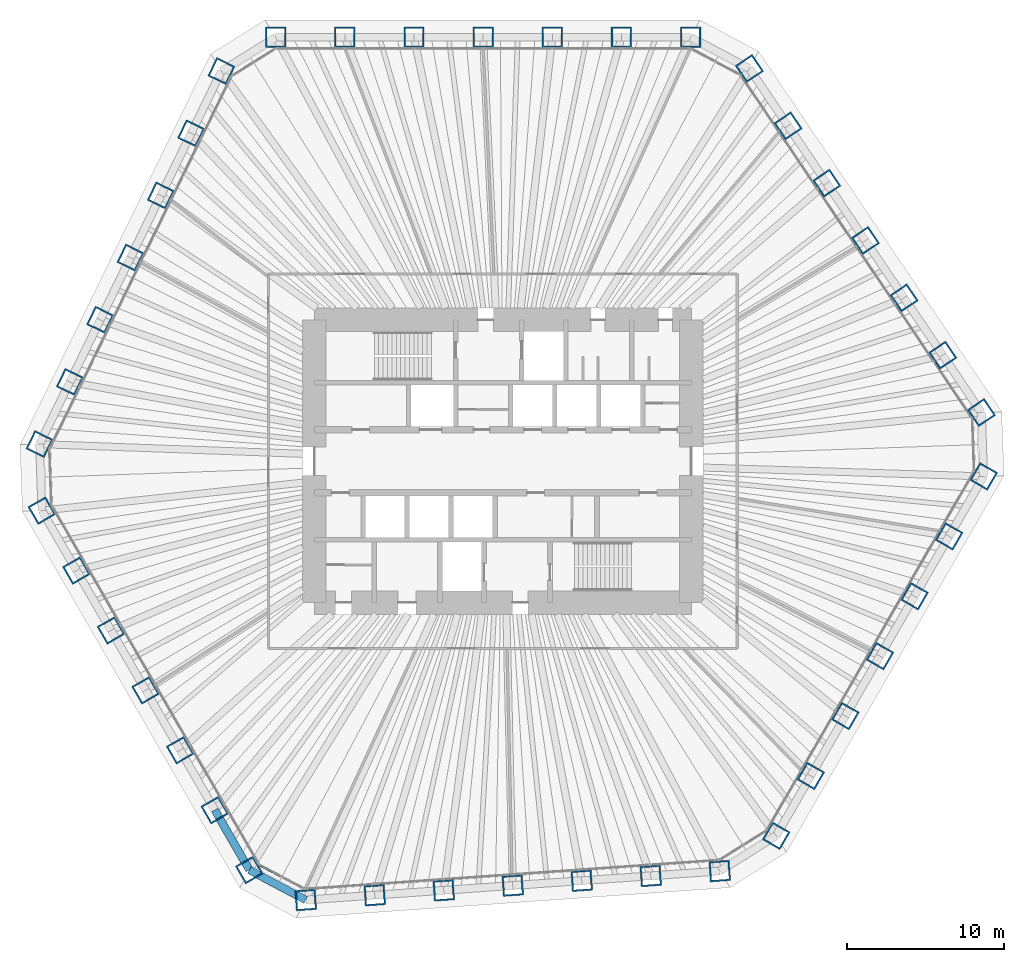
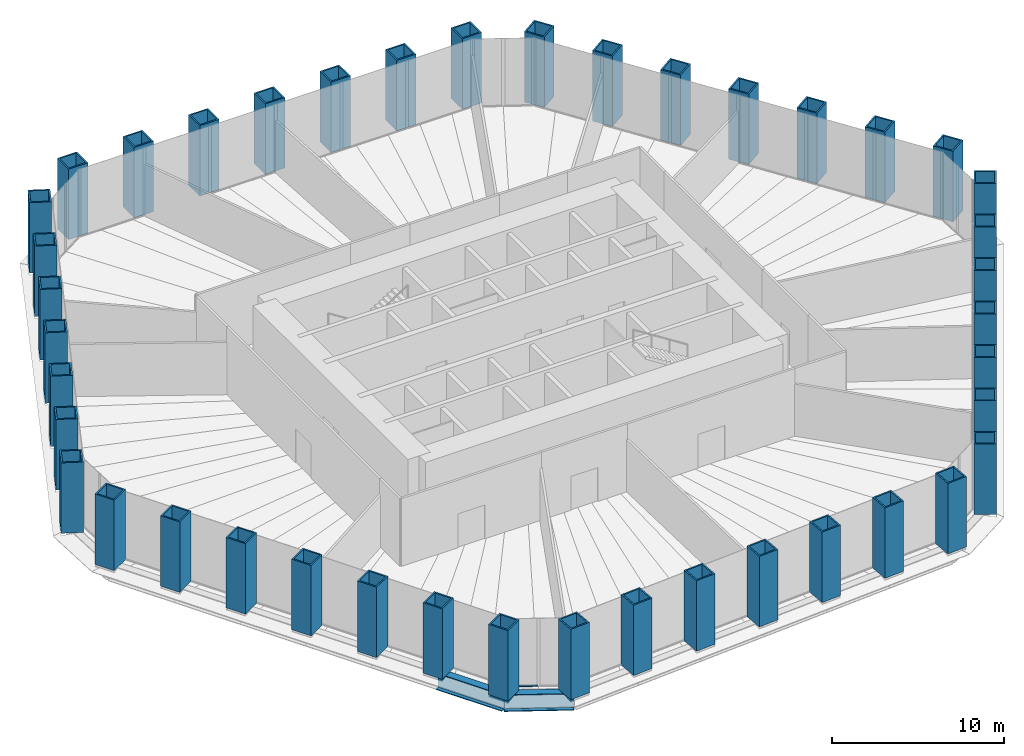
# One storey, part 1 of 14: 42 columns, 2 beams, 1 member, 1 element without a shape of its own.
"""IFC4 building model written with IfcOpenShell, lengths in metres."""

import ifcopenshell
import ifcopenshell.guid

model = None  # the IFC model being written
_history = None  # IfcOwnerHistory: only IFC2X3 demands one
_inside = {}  # id of a spatial element -> (the spatial element, [elements in it])
_under = {}  # id of a project, library or spatial element -> (it, [spatial elements below it])
_declared = {}  # id of a project -> (the project, [libraries it declares])
_typed = {}  # id of a type object -> (the type object, [elements of that type])
_made_of = {}  # id of a material, layer set ... -> (it, [elements and type objects made of it])


def new_model(schema):
    """Start an empty IFC model of exactly this schema.

    Asked for "IFC4X3", IfcOpenShell would pick the latest addendum, in which some entities
    have other attributes; the version numbers below select the first issue.
    IFC2X3 requires an IfcOwnerHistory on every rooted entity: one is made here for all.
    """
    global model, _history
    if schema == "IFC4X3":
        model = ifcopenshell.file(schema_version=(4, 3, 0, 0))
    else:
        model = ifcopenshell.file(schema=schema)
    _inside.clear()
    _under.clear()
    _declared.clear()
    _typed.clear()
    _made_of.clear()
    _history = None
    if model.schema == "IFC2X3":
        org = make("IfcOrganization", Name="unknown")
        user = make(
            "IfcPersonAndOrganization",
            ThePerson=make("IfcPerson", FamilyName="unknown"),
            TheOrganization=org,
        )
        app = make(
            "IfcApplication",
            ApplicationDeveloper=org,
            Version="unknown",
            ApplicationFullName="unknown",
            ApplicationIdentifier="unknown",
        )
        _history = make(
            "IfcOwnerHistory",
            OwningUser=user,
            OwningApplication=app,
            ChangeAction="ADDED",
            CreationDate=0,
        )
    return model


def make(cls, **values):
    """One entity of the class cls with the attributes given. An attribute that is None is left unset."""
    return model.create_entity(
        cls, **{name: value for name, value in values.items() if value is not None}
    )


def rooted(cls, **values):
    """An entity with a GlobalId (a new one), such as an element, a storey or a relation."""
    return make(cls, GlobalId=ifcopenshell.guid.new(), OwnerHistory=_history, **values)


def si_unit(unit_type, name, prefix=None):
    """IfcSIUnit, for example si_unit("LENGTHUNIT", "METRE", prefix="MILLI")."""
    return make("IfcSIUnit", UnitType=unit_type, Prefix=prefix, Name=name)


def assignment(units):
    """IfcUnitAssignment: the units of a project."""
    return None if units is None else make("IfcUnitAssignment", Units=units)


def point(xyz):
    """IfcCartesianPoint."""
    return None if xyz is None else make("IfcCartesianPoint", Coordinates=xyz)


def direction(xyz):
    """IfcDirection."""
    return None if xyz is None else make("IfcDirection", DirectionRatios=xyz)


def frame(location, z_axis=None, x_axis=None):
    """IfcAxis2Placement3D, a coordinate frame: its origin and axes. An axis left out is left unset."""
    return make(
        "IfcAxis2Placement3D",
        Location=point(location),
        Axis=direction(z_axis),
        RefDirection=direction(x_axis),
    )


def frame_2d(location, x_axis=None):
    """IfcAxis2Placement2D, a coordinate frame in the plane: its origin and x axis."""
    return make(
        "IfcAxis2Placement2D", Location=point(location), RefDirection=direction(x_axis)
    )


def origin():
    """The frame at (0, 0, 0) with its axes left unset."""
    return frame((0.0, 0.0, 0.0))


def origin_2d():
    """The frame at (0, 0) in the plane with its x axis left unset."""
    return frame_2d((0.0, 0.0))


def place(relative_to, where):
    """IfcLocalPlacement: puts the frame where relative to a parent placement (None: the world)."""
    return make(
        "IfcLocalPlacement", PlacementRelTo=relative_to, RelativePlacement=where
    )


def context(
    kind, dimensions, precision=None, world=None, true_north=None, identifier=None
):
    """IfcGeometricRepresentationContext, for example the 3D "Model" context."""
    return make(
        "IfcGeometricRepresentationContext",
        ContextIdentifier=identifier,
        ContextType=kind,
        CoordinateSpaceDimension=dimensions,
        Precision=precision,
        WorldCoordinateSystem=world,
        TrueNorth=true_north,
    )


def subcontext(parent, identifier, kind, view, scale=None):
    """IfcGeometricRepresentationSubContext, for example "Body" below "Model"."""
    return make(
        "IfcGeometricRepresentationSubContext",
        ContextIdentifier=identifier,
        ContextType=kind,
        ParentContext=parent,
        TargetScale=scale,
        TargetView=view,
    )


def project(units=None, contexts=None):
    """IfcProject with its units and contexts."""
    return rooted(
        "IfcProject",
        Name="project",
        RepresentationContexts=contexts,
        UnitsInContext=assignment(units),
    )


def spatial(cls, under=None, at=None, **own):
    """A site, building, storey or space (cls), placed at a placement, below another one or the project."""
    s = rooted(cls, ObjectPlacement=at, **own)
    if under is not None:
        _under.setdefault(under.id(), (under, []))[1].append(s)
    return s


def profile(cls, at=None, kind="AREA", **sizes):
    """A parametric profile (cls). Its sizes go by their IFC names, for example OverallWidth=200.0."""
    return make(cls, ProfileType=kind, Position=at, **sizes)


def rectangle(**sizes):
    """IfcRectangleProfileDef."""
    return profile("IfcRectangleProfileDef", **sizes)


def hollow_rectangle(**sizes):
    """IfcRectangleHollowProfileDef."""
    return profile("IfcRectangleHollowProfileDef", **sizes)


def i_section(**sizes):
    """IfcIShapeProfileDef."""
    return profile("IfcIShapeProfileDef", **sizes)


def extrude(swept, where, along, depth):
    """IfcExtrudedAreaSolid: the profile swept, set in the frame where, extruded along a direction by depth."""
    return make(
        "IfcExtrudedAreaSolid",
        SweptArea=swept,
        Position=where,
        ExtrudedDirection=direction(along),
        Depth=depth,
    )


def shape(context_of_items, identifier, shape_type, items):
    """IfcShapeRepresentation: the items that make up one representation, for example the "Body"."""
    return make(
        "IfcShapeRepresentation",
        ContextOfItems=context_of_items,
        RepresentationIdentifier=identifier,
        RepresentationType=shape_type,
        Items=items,
    )


def material(Name=None, Category=None):
    """IfcMaterial."""
    return make("IfcMaterial", Name=Name, Category=Category)


def material_profile(
    of_material, cross_section, Name=None, Category=None, Priority=None
):
    """IfcMaterialProfile: a cross section and its material."""
    return make(
        "IfcMaterialProfile",
        Name=Name,
        Material=of_material,
        Profile=cross_section,
        Priority=Priority,
        Category=Category,
    )


def profile_set(profiles, Name=None, composite=None):
    """IfcMaterialProfileSet."""
    return make(
        "IfcMaterialProfileSet",
        Name=Name,
        MaterialProfiles=profiles,
        CompositeProfile=composite,
    )


def made_of(thing, what):
    """Note that an element or type object is made of a material, layer set ...; save() writes the relation."""
    if what is not None:
        _made_of.setdefault(what.id(), (what, []))[1].append(thing)
    return thing


def type_object(cls, material=None, **own):
    """A type object (cls), such as IfcWallType, which elements share."""
    return made_of(rooted(cls, **own), material)


def element(
    cls,
    number,
    at=None,
    inside=None,
    cuts=None,
    type_object=None,
    material=None,
    context=None,
    identifier="Body",
    shape_type=None,
    held_by="IfcProductDefinitionShape",
    body=None,
    shapes=None,
    **own,
):
    """One element of the class cls, such as IfcWall. Its Tag is "e" and its number.

    at: its placement. inside: the storey or other place that contains it. cuts: it is an
    opening in that element (IfcRelVoidsElement). A single representation is given by context,
    identifier, shape_type and body (its items); several are given by shapes. held_by: the class
    of the entity that holds the representations. save() writes the other relations.
    """
    e = rooted(cls, Tag="e%d" % number, ObjectPlacement=at, **own)
    if body is not None:
        shapes = [shape(context, identifier, shape_type, body)]
    if shapes is not None:
        e.Representation = make(held_by, Representations=shapes)
    if inside is not None:
        _inside.setdefault(inside.id(), (inside, []))[1].append(e)
    if cuts is not None:
        rooted(
            "IfcRelVoidsElement", RelatingBuildingElement=cuts, RelatedOpeningElement=e
        )
    if type_object is not None:
        _typed.setdefault(type_object.id(), (type_object, []))[1].append(e)
    return made_of(e, material)


def aggregate(whole, parts):
    """IfcRelAggregates: a whole, such as a stair, and the parts it consists of."""
    return rooted("IfcRelAggregates", RelatingObject=whole, RelatedObjects=parts)


def save(model, path):
    """Write the relations noted so far, then the file.

    IfcRelAggregates (storeys below a building ...), IfcRelContainedInSpatialStructure (elements
    in a storey), IfcRelDefinesByType, IfcRelAssociatesMaterial and IfcRelDeclares: one each for
    every whole, place, type object, material and project.
    """
    for whole, parts in _under.values():
        aggregate(whole, parts)
    for where, things in _inside.values():
        rooted(
            "IfcRelContainedInSpatialStructure",
            RelatedElements=things,
            RelatingStructure=where,
        )
    for kind, things in _typed.values():
        rooted("IfcRelDefinesByType", RelatedObjects=things, RelatingType=kind)
    for what, things in _made_of.values():
        rooted("IfcRelAssociatesMaterial", RelatedObjects=things, RelatingMaterial=what)
    for by, libraries in _declared.values():
        rooted("IfcRelDeclares", RelatingContext=by, RelatedDefinitions=libraries)
    model.write(path)


model = new_model("IFC4")

# Units and contexts
model_context = context("Model", 3, precision=1e-05, world=origin(), true_north=direction((0.0, 1.0)))
body_context = subcontext(model_context, "Body", "Model", "MODEL_VIEW")
ifc_project = project(units=[si_unit("LENGTHUNIT", "METRE"), si_unit("AREAUNIT", "SQUARE_METRE"), si_unit("VOLUMEUNIT", "CUBIC_METRE"), si_unit("PLANEANGLEUNIT", "RADIAN"), si_unit("MASSUNIT", "GRAM", prefix="KILO")], contexts=[model_context])

# Site, building, storey
site_placement = place(None, origin())
site = spatial("IfcSite", under=ifc_project, at=site_placement, CompositionType="ELEMENT")
building_placement = place(site_placement, origin())
building = spatial("IfcBuilding", under=site, at=building_placement, Name="Qingtian Harvest Tower", CompositionType="ELEMENT")
storey_placement = place(building_placement, frame((0.0, 0.0, 57.0)))
storey = spatial("IfcBuildingStorey", under=building, at=storey_placement, Name="L11", CompositionType="ELEMENT", Elevation=57.0)

# Columns
ifc_material_1 = material(Name="Steel SM570MC", Category="steel")
ifc_material_profile_1 = material_profile(ifc_material_1, hollow_rectangle(XDim=1.300048828125, YDim=1.300048828125, WallThickness=0.10009765625, at=origin_2d()), Name="BOX1300x1300x100")
ifc_profile_set_1 = profile_set([ifc_material_profile_1], Name="Steel SM570MC")
column_type = type_object("IfcColumnType", Name="Tube column TC2 BOX1300x1300x100", PredefinedType="COLUMN", material=ifc_profile_set_1)
for number, where, z_axis, x_axis, name in (
    (1, (-14.471435546875, 27.0, 0.0), (0.0, 0.0, 1.0), (-1.0, 0.0, 0.0), "Tube column TC2 N0"),
    (2, (-10.06689453125, 27.0, 0.0), (0.0, 0.0, 1.0), (-1.0, 0.0, 0.0), "Tube column TC2 N1"),
    (3, (-5.662353515625, 27.0, 0.0), (0.0, 0.0, 1.0), (-1.0, 0.0, 0.0), "Tube column TC2 N2"),
    (4, (-1.257568359375, 27.0, 0.0), (0.0, 0.0, 1.0), (-1.0, 0.0, 0.0), "Tube column TC2 N3"),
    (5, (3.14697265625, 27.0, 0.0), (0.0, 0.0, 1.0), (-1.0, 0.0, 0.0), "Tube column TC2 N4"),
    (6, (7.551513671875, 27.0, 0.0), (0.0, 0.0, 1.0), (-1.0, 0.0, 0.0), "Tube column TC2 N5"),
    (7, (11.9560546875, 27.0, 0.0), (0.0, 0.0, 1.0), (-1.0, 0.0, 0.0), "Tube column TC2 N6"),
    (8, (15.6982421875, 25.01025390625, 0.0), (0.0, 0.0, 1.0), (-0.559192903471, 0.829037572555, 0.0), "Tube column TC2 NE0"),
    (9, (18.1611328125, 21.358642578125, 0.0), (0.0, 0.0, 1.0), (-0.559192903471, 0.829037572555, 0.0), "Tube column TC2 NE1"),
    (10, (20.624267578125, 17.70703125, 0.0), (0.0, 0.0, 1.0), (-0.559192903471, 0.829037572555, 0.0), "Tube column TC2 NE2"),
    (11, (23.08740234375, 14.0556640625, 0.0), (0.0, 0.0, 1.0), (-0.559192903471, 0.829037572555, 0.0), "Tube column TC2 NE3"),
    (12, (25.55029296875, 10.404052734375, 0.0), (0.0, 0.0, 1.0), (-0.559192903471, 0.829037572555, 0.0), "Tube column TC2 NE4"),
    (13, (28.013427734375, 6.75244140625, 0.0), (0.0, 0.0, 1.0), (-0.559192903471, 0.829037572555, 0.0), "Tube column TC2 NE5"),
    (14, (30.476318359375, 3.100830078125, 0.0), (0.0, 0.0, 1.0), (-0.559192903471, 0.829037572555, 0.0), "Tube column TC2 NE6"),
    (15, (30.618408203125, -0.96728515625, 0.0), (0.0, 0.0, 1.0), (0.5, 0.866025403784, 0.0), "Tube column TC2 SE0"),
    (16, (28.416015625, -4.78173828125, 0.0), (0.0, 0.0, 1.0), (0.5, 0.866025403784, 0.0), "Tube column TC2 SE1"),
    (17, (26.2138671875, -8.596435546875, 0.0), (0.0, 0.0, 1.0), (0.5, 0.866025403784, 0.0), "Tube column TC2 SE2"),
    (18, (24.011474609375, -12.410888671875, 0.0), (0.0, 0.0, 1.0), (0.5, 0.866025403784, 0.0), "Tube column TC2 SE3"),
    (19, (21.809326171875, -16.225341796875, 0.0), (0.0, 0.0, 1.0), (0.5, 0.866025403784, 0.0), "Tube column TC2 SE4"),
    (20, (19.60693359375, -20.039794921875, 0.0), (0.0, 0.0, 1.0), (0.5, 0.866025403784, 0.0), "Tube column TC2 SE5"),
    (21, (17.404541015625, -23.854248046875, 0.0), (0.0, 0.0, 1.0), (0.5, 0.866025403784, 0.0), "Tube column TC2 SE6"),
    (22, (13.810546875, -26.10009765625, 0.0), (0.0, 0.0, 1.0), (0.99756405026, 0.069756473744, 0.0), "Tube column TC2 S0"),
    (23, (9.41650390625, -26.407470703125, 0.0), (0.0, 0.0, 1.0), (0.99756405026, 0.069756473744, 0.0), "Tube column TC2 S1"),
    (24, (5.022705078125, -26.714599609375, 0.0), (0.0, 0.0, 1.0), (0.99756405026, 0.069756473744, 0.0), "Tube column TC2 S2"),
    (25, (0.62890625, -27.02197265625, 0.0), (0.0, 0.0, 1.0), (0.99756405026, 0.069756473744, 0.0), "Tube column TC2 S3"),
    (26, (-3.76513671875, -27.3291015625, 0.0), (0.0, 0.0, 1.0), (0.99756405026, 0.069756473744, 0.0), "Tube column TC2 S4"),
    (27, (-8.158935546875, -27.636474609375, 0.0), (0.0, 0.0, 1.0), (0.99756405026, 0.069756473744, 0.0), "Tube column TC2 S5"),
    (28, (-12.552734375, -27.943603515625, 0.0), (0.0, 0.0, 1.0), (0.99756405026, 0.069756473744, 0.0), "Tube column TC2 S6"),
    (29, (-16.14697265625, -26.03271484375, 0.0), (0.0, 0.0, 1.0), (0.5, -0.866025403784, 0.0), "Tube column TC2 SW0"),
    (30, (-18.349365234375, -22.21826171875, 0.0), (0.0, 0.0, 1.0), (0.5, -0.866025403784, 0.0), "Tube column TC2 SW1"),
    (31, (-20.551513671875, -18.403564453125, 0.0), (0.0, 0.0, 1.0), (0.5, -0.866025403784, 0.0), "Tube column TC2 SW2"),
    (32, (-22.75390625, -14.589111328125, 0.0), (0.0, 0.0, 1.0), (0.5, -0.866025403784, 0.0), "Tube column TC2 SW3"),
    (33, (-24.9560546875, -10.774658203125, 0.0), (0.0, 0.0, 1.0), (0.5, -0.866025403784, 0.0), "Tube column TC2 SW4"),
    (34, (-27.158447265625, -6.960205078125, 0.0), (0.0, 0.0, 1.0), (0.5, -0.866025403784, 0.0), "Tube column TC2 SW5"),
    (35, (-29.36083984375, -3.145751953125, 0.0), (0.0, 0.0, 1.0), (0.5, -0.866025403784, 0.0), "Tube column TC2 SW6"),
    (36, (-29.5087890625, 1.08984375, 0.0), (0.0, 0.0, 1.0), (-0.438371146789, -0.898794046299, 0.0), "Tube column TC2 NW0"),
    (37, (-27.577880859375, 5.048828125, 0.0), (0.0, 0.0, 1.0), (-0.438371146789, -0.898794046299, 0.0), "Tube column TC2 NW1"),
    (38, (-25.64697265625, 9.007568359375, 0.0), (0.0, 0.0, 1.0), (-0.438371146789, -0.898794046299, 0.0), "Tube column TC2 NW2"),
    (39, (-23.716064453125, 12.96630859375, 0.0), (0.0, 0.0, 1.0), (-0.438371146789, -0.898794046299, 0.0), "Tube column TC2 NW3"),
    (40, (-21.78515625, 16.92529296875, 0.0), (0.0, 0.0, 1.0), (-0.438371146789, -0.898794046299, 0.0), "Tube column TC2 NW4"),
    (41, (-19.8544921875, 20.884033203125, 0.0), (0.0, 0.0, 1.0), (-0.438371146789, -0.898794046299, 0.0), "Tube column TC2 NW5"),
    (42, (-17.923583984375, 24.8427734375, 0.0), (0.0, 0.0, 1.0), (-0.438371146789, -0.898794046299, 0.0), "Tube column TC2 NW6"),
):
    element("IfcColumn", number, at=place(storey_placement, frame(where, z_axis=z_axis, x_axis=x_axis)), inside=storey, type_object=column_type, Name=name, PredefinedType="COLUMN", context=body_context, shape_type="SweptSolid", body=[
        extrude(hollow_rectangle(XDim=1.300048828125, YDim=1.300048828125, WallThickness=0.10009765625, at=origin_2d()), origin(), (0.0, 0.0, 1.0), 5.0),
    ])

# Beams
ifc_material_2 = material(Name="Steel SM570MC", Category="steel")
ifc_material_profile_2 = material_profile(ifc_material_2, i_section(OverallWidth=0.5, OverallDepth=1.199951171875, WebThickness=0.02490234375, FlangeThickness=0.050048828125, at=origin_2d()), Name="H1200x500x25x50")
ifc_profile_set_2 = profile_set([ifc_material_profile_2], Name="Steel SM570MC")
beam_type = type_object("IfcBeamType", Name="Spandrel beam SB1 H1200x500x25x50", PredefinedType="SPANDREL", material=ifc_profile_set_2)
beam_1_placement = place(storey_placement, frame((-12.552734375, -27.943603515625, -0.60009765625), z_axis=(-0.882968133669, 0.469432929101, 0.0), x_axis=(-0.469432929101, -0.882968133669, 0.0)))
element("IfcBeam", 43, at=beam_1_placement, inside=storey, type_object=beam_type, Name="Spandrel SB1 SC", PredefinedType="SPANDREL", context=body_context, shape_type="SweptSolid", body=[
    extrude(i_section(OverallWidth=0.5, OverallDepth=1.199951171875, WebThickness=0.02490234375, FlangeThickness=0.050048828125, at=origin_2d()), origin(), (0.0, 0.0, 1.0), 4.070556640625),
])
beam_2_placement = place(storey_placement, frame((-16.14697265625, -26.03271484375, -0.60009765625), z_axis=(-0.50001992892, 0.866013897511, 0.0), x_axis=(-0.866013897511, -0.50001992892, 0.0)))
element("IfcBeam", 44, at=beam_2_placement, inside=storey, type_object=beam_type, Name="Spandrel SB1 SW0", PredefinedType="SPANDREL", context=body_context, shape_type="SweptSolid", body=[
    extrude(i_section(OverallWidth=0.5, OverallDepth=1.199951171875, WebThickness=0.02490234375, FlangeThickness=0.050048828125, at=origin_2d()), origin(), (0.0, 0.0, 1.0), 4.404541015625),
])

# Curtain wall, member
ifc_material_3 = material(Name="Bronze-anodised aluminium curtain wall", Category="aluminium")
curtain_wall_type = type_object("IfcCurtainWallType", Name="Curtain wall CW2 farm reception", PredefinedType="USERDEFINED", material=ifc_material_3)
curtain_wall_placement = place(storey_placement, origin())
curtain_wall = element("IfcCurtainWall", 45, at=curtain_wall_placement, inside=storey, type_object=curtain_wall_type, Name="Curtain wall CW2 L11 SC", ObjectType="RECESSED CURTAIN WALL", PredefinedType="USERDEFINED")
ifc_material_4 = material(Name="Bronze-anodised aluminium transom", Category="aluminium")
ifc_material_profile_3 = material_profile(ifc_material_4, rectangle(XDim=0.14990234375, YDim=0.06494140625, at=origin_2d()), Name="AL 65x150")
ifc_profile_set_3 = profile_set([ifc_material_profile_3], Name="Bronze-anodised aluminium transom")
member_type = type_object("IfcMemberType", Name="Transom CWT 65x150", PredefinedType="USERDEFINED", material=ifc_profile_set_3)
member_placement = place(storey_placement, frame((-14.099853515625, -26.44873046875, 0.032470703125), z_axis=(-0.882960338349, 0.46944759122, 0.0), x_axis=(-0.46944759122, -0.882960338349, 0.0)))
member = element("IfcMember", 46, at=member_placement, type_object=member_type, Name="CW2 transom 2.1", ObjectType="TRANSOM", PredefinedType="USERDEFINED", context=body_context, shape_type="SweptSolid", body=[
    extrude(rectangle(XDim=0.14990234375, YDim=0.06494140625, at=origin_2d()), origin(), (0.0, 0.0, 1.0), 1.56689453125),
])
aggregate(curtain_wall, [member])

save(model, "model.ifc")
